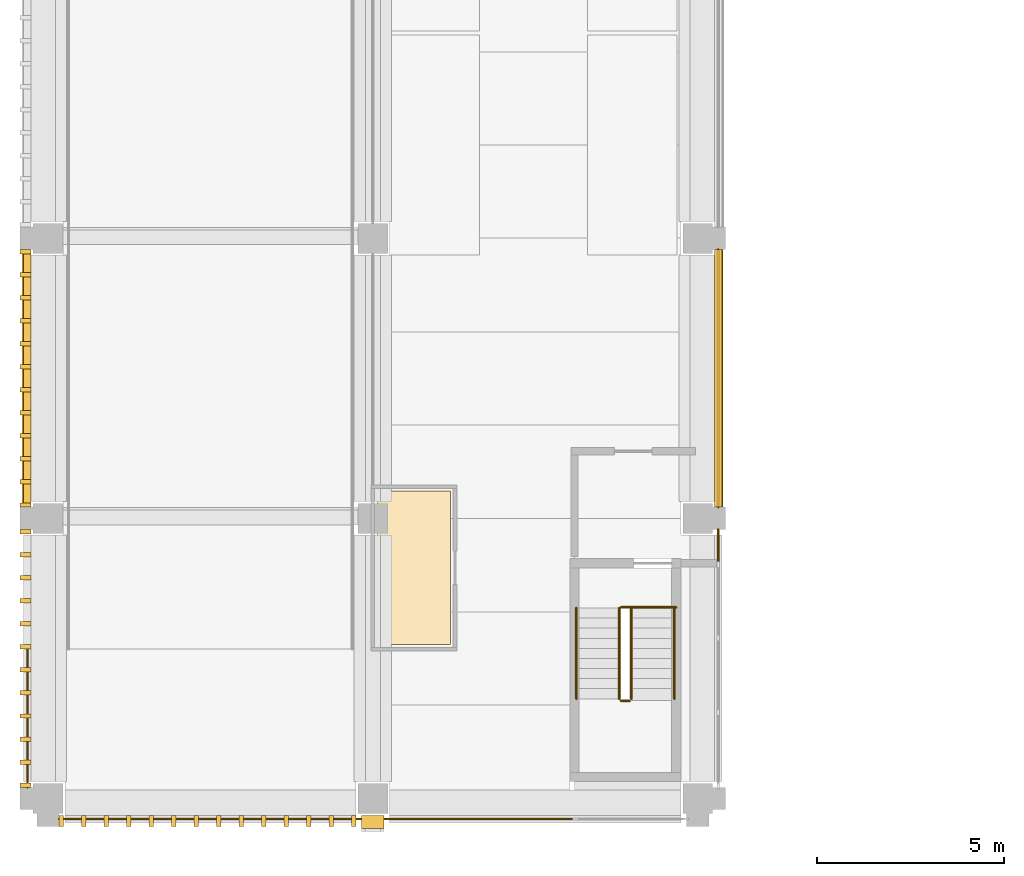
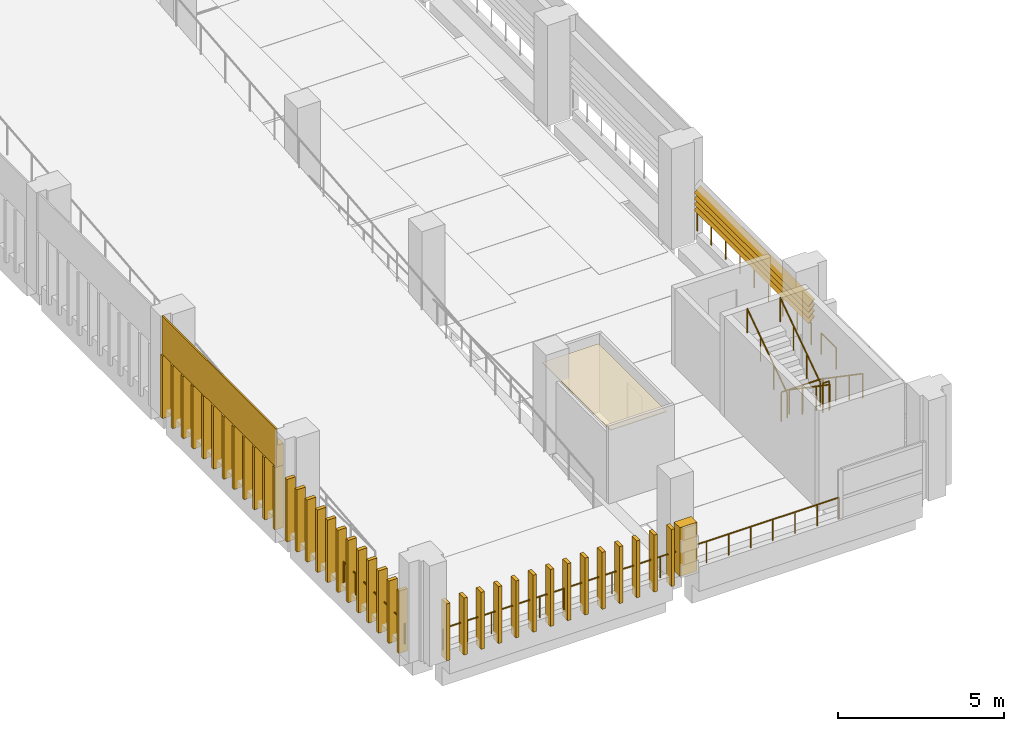
# One storey, part 41 of 61: 41 coverings, 11 railings, 4 shading devices.
"""IFC4 building model written with IfcOpenShell, lengths in metres."""

import ifcopenshell
import ifcopenshell.guid

model = None  # the IFC model being written
_history = None  # IfcOwnerHistory: only IFC2X3 demands one
_inside = {}  # id of a spatial element -> (the spatial element, [elements in it])
_under = {}  # id of a project, library or spatial element -> (it, [spatial elements below it])
_declared = {}  # id of a project -> (the project, [libraries it declares])
_typed = {}  # id of a type object -> (the type object, [elements of that type])
_made_of = {}  # id of a material, layer set ... -> (it, [elements and type objects made of it])


def new_model(schema):
    """Start an empty IFC model of exactly this schema.

    Asked for "IFC4X3", IfcOpenShell would pick the latest addendum, in which some entities
    have other attributes; the version numbers below select the first issue.
    IFC2X3 requires an IfcOwnerHistory on every rooted entity: one is made here for all.
    """
    global model, _history
    if schema == "IFC4X3":
        model = ifcopenshell.file(schema_version=(4, 3, 0, 0))
    else:
        model = ifcopenshell.file(schema=schema)
    _inside.clear()
    _under.clear()
    _declared.clear()
    _typed.clear()
    _made_of.clear()
    _history = None
    if model.schema == "IFC2X3":
        org = make("IfcOrganization", Name="unknown")
        user = make(
            "IfcPersonAndOrganization",
            ThePerson=make("IfcPerson", FamilyName="unknown"),
            TheOrganization=org,
        )
        app = make(
            "IfcApplication",
            ApplicationDeveloper=org,
            Version="unknown",
            ApplicationFullName="unknown",
            ApplicationIdentifier="unknown",
        )
        _history = make(
            "IfcOwnerHistory",
            OwningUser=user,
            OwningApplication=app,
            ChangeAction="ADDED",
            CreationDate=0,
        )
    return model


def make(cls, **values):
    """One entity of the class cls with the attributes given. An attribute that is None is left unset."""
    return model.create_entity(
        cls, **{name: value for name, value in values.items() if value is not None}
    )


def rooted(cls, **values):
    """An entity with a GlobalId (a new one), such as an element, a storey or a relation."""
    return make(cls, GlobalId=ifcopenshell.guid.new(), OwnerHistory=_history, **values)


def si_unit(unit_type, name, prefix=None):
    """IfcSIUnit, for example si_unit("LENGTHUNIT", "METRE", prefix="MILLI")."""
    return make("IfcSIUnit", UnitType=unit_type, Prefix=prefix, Name=name)


def assignment(units):
    """IfcUnitAssignment: the units of a project."""
    return None if units is None else make("IfcUnitAssignment", Units=units)


def point(xyz):
    """IfcCartesianPoint."""
    return None if xyz is None else make("IfcCartesianPoint", Coordinates=xyz)


def direction(xyz):
    """IfcDirection."""
    return None if xyz is None else make("IfcDirection", DirectionRatios=xyz)


def frame(location, z_axis=None, x_axis=None):
    """IfcAxis2Placement3D, a coordinate frame: its origin and axes. An axis left out is left unset."""
    return make(
        "IfcAxis2Placement3D",
        Location=point(location),
        Axis=direction(z_axis),
        RefDirection=direction(x_axis),
    )


def frame_2d(location, x_axis=None):
    """IfcAxis2Placement2D, a coordinate frame in the plane: its origin and x axis."""
    return make(
        "IfcAxis2Placement2D", Location=point(location), RefDirection=direction(x_axis)
    )


def origin():
    """The frame at (0, 0, 0) with its axes left unset."""
    return frame((0.0, 0.0, 0.0))


def origin_2d():
    """The frame at (0, 0) in the plane with its x axis left unset."""
    return frame_2d((0.0, 0.0))


def place(relative_to, where):
    """IfcLocalPlacement: puts the frame where relative to a parent placement (None: the world)."""
    return make(
        "IfcLocalPlacement", PlacementRelTo=relative_to, RelativePlacement=where
    )


def context(
    kind, dimensions, precision=None, world=None, true_north=None, identifier=None
):
    """IfcGeometricRepresentationContext, for example the 3D "Model" context."""
    return make(
        "IfcGeometricRepresentationContext",
        ContextIdentifier=identifier,
        ContextType=kind,
        CoordinateSpaceDimension=dimensions,
        Precision=precision,
        WorldCoordinateSystem=world,
        TrueNorth=true_north,
    )


def subcontext(parent, identifier, kind, view, scale=None):
    """IfcGeometricRepresentationSubContext, for example "Body" below "Model"."""
    return make(
        "IfcGeometricRepresentationSubContext",
        ContextIdentifier=identifier,
        ContextType=kind,
        ParentContext=parent,
        TargetScale=scale,
        TargetView=view,
    )


def project(units=None, contexts=None):
    """IfcProject with its units and contexts."""
    return rooted(
        "IfcProject",
        Name="project",
        RepresentationContexts=contexts,
        UnitsInContext=assignment(units),
    )


def spatial(cls, under=None, at=None, **own):
    """A site, building, storey or space (cls), placed at a placement, below another one or the project."""
    s = rooted(cls, ObjectPlacement=at, **own)
    if under is not None:
        _under.setdefault(under.id(), (under, []))[1].append(s)
    return s


def polyline(points):
    """IfcPolyline through the points."""
    return make("IfcPolyline", Points=[point(p) for p in points])


def profile(cls, at=None, kind="AREA", **sizes):
    """A parametric profile (cls). Its sizes go by their IFC names, for example OverallWidth=200.0."""
    return make(cls, ProfileType=kind, Position=at, **sizes)


def circle(**sizes):
    """IfcCircleProfileDef."""
    return profile("IfcCircleProfileDef", **sizes)


def outline(outer, holes=None, kind="AREA"):
    """IfcArbitraryClosedProfileDef: a profile drawn as a closed curve; with holes, ...WithVoids."""
    if holes is None:
        return make("IfcArbitraryClosedProfileDef", ProfileType=kind, OuterCurve=outer)
    return make(
        "IfcArbitraryProfileDefWithVoids",
        ProfileType=kind,
        OuterCurve=outer,
        InnerCurves=holes,
    )


def extrude(swept, where, along, depth):
    """IfcExtrudedAreaSolid: the profile swept, set in the frame where, extruded along a direction by depth."""
    return make(
        "IfcExtrudedAreaSolid",
        SweptArea=swept,
        Position=where,
        ExtrudedDirection=direction(along),
        Depth=depth,
    )


def shape(context_of_items, identifier, shape_type, items):
    """IfcShapeRepresentation: the items that make up one representation, for example the "Body"."""
    return make(
        "IfcShapeRepresentation",
        ContextOfItems=context_of_items,
        RepresentationIdentifier=identifier,
        RepresentationType=shape_type,
        Items=items,
    )


def material(Name=None, Category=None):
    """IfcMaterial."""
    return make("IfcMaterial", Name=Name, Category=Category)


def layer(
    of_material, thickness, ventilated=None, Name=None, Category=None, Priority=None
):
    """IfcMaterialLayer: one layer of a wall or slab, of a material (None: an air gap)."""
    return make(
        "IfcMaterialLayer",
        Material=of_material,
        LayerThickness=thickness,
        IsVentilated=ventilated,
        Name=Name,
        Category=Category,
        Priority=Priority,
    )


def layer_set(layers, Name=None):
    """IfcMaterialLayerSet."""
    return make("IfcMaterialLayerSet", MaterialLayers=layers, LayerSetName=Name)


def made_of(thing, what):
    """Note that an element or type object is made of a material, layer set ...; save() writes the relation."""
    if what is not None:
        _made_of.setdefault(what.id(), (what, []))[1].append(thing)
    return thing


def type_object(cls, material=None, **own):
    """A type object (cls), such as IfcWallType, which elements share."""
    return made_of(rooted(cls, **own), material)


def element(
    cls,
    number,
    at=None,
    inside=None,
    cuts=None,
    type_object=None,
    material=None,
    context=None,
    identifier="Body",
    shape_type=None,
    held_by="IfcProductDefinitionShape",
    body=None,
    shapes=None,
    **own,
):
    """One element of the class cls, such as IfcWall. Its Tag is "e" and its number.

    at: its placement. inside: the storey or other place that contains it. cuts: it is an
    opening in that element (IfcRelVoidsElement). A single representation is given by context,
    identifier, shape_type and body (its items); several are given by shapes. held_by: the class
    of the entity that holds the representations. save() writes the other relations.
    """
    e = rooted(cls, Tag="e%d" % number, ObjectPlacement=at, **own)
    if body is not None:
        shapes = [shape(context, identifier, shape_type, body)]
    if shapes is not None:
        e.Representation = make(held_by, Representations=shapes)
    if inside is not None:
        _inside.setdefault(inside.id(), (inside, []))[1].append(e)
    if cuts is not None:
        rooted(
            "IfcRelVoidsElement", RelatingBuildingElement=cuts, RelatedOpeningElement=e
        )
    if type_object is not None:
        _typed.setdefault(type_object.id(), (type_object, []))[1].append(e)
    return made_of(e, material)


def aggregate(whole, parts):
    """IfcRelAggregates: a whole, such as a stair, and the parts it consists of."""
    return rooted("IfcRelAggregates", RelatingObject=whole, RelatedObjects=parts)


def save(model, path):
    """Write the relations noted so far, then the file.

    IfcRelAggregates (storeys below a building ...), IfcRelContainedInSpatialStructure (elements
    in a storey), IfcRelDefinesByType, IfcRelAssociatesMaterial and IfcRelDeclares: one each for
    every whole, place, type object, material and project.
    """
    for whole, parts in _under.values():
        aggregate(whole, parts)
    for where, things in _inside.values():
        rooted(
            "IfcRelContainedInSpatialStructure",
            RelatedElements=things,
            RelatingStructure=where,
        )
    for kind, things in _typed.values():
        rooted("IfcRelDefinesByType", RelatedObjects=things, RelatingType=kind)
    for what, things in _made_of.values():
        rooted("IfcRelAssociatesMaterial", RelatedObjects=things, RelatingMaterial=what)
    for by, libraries in _declared.values():
        rooted("IfcRelDeclares", RelatingContext=by, RelatedDefinitions=libraries)
    model.write(path)


model = new_model("IFC4")

# Units and contexts
model_context = context("Model", 3, precision=1e-05, world=origin(), true_north=direction((0.0, 1.0)))
body_context = subcontext(model_context, "Body", "Model", "MODEL_VIEW")
ifc_project = project(units=[si_unit("LENGTHUNIT", "METRE"), si_unit("AREAUNIT", "SQUARE_METRE"), si_unit("VOLUMEUNIT", "CUBIC_METRE"), si_unit("PLANEANGLEUNIT", "RADIAN"), si_unit("MASSUNIT", "GRAM", prefix="KILO")], contexts=[model_context])

# Site, building, storey
site_placement = place(None, origin())
site = spatial("IfcSite", under=ifc_project, at=site_placement, CompositionType="ELEMENT")
building_placement = place(site_placement, origin())
building = spatial("IfcBuilding", under=site, at=building_placement, Name="Cour d'Honneur Mobility Palace", CompositionType="ELEMENT")
storey_placement = place(building_placement, frame((0.0, 0.0, 11.89990234375)))
storey = spatial("IfcBuildingStorey", under=building, at=storey_placement, Name="L03", CompositionType="ELEMENT", Elevation=11.89990234375)

# Railings
ifc_material_1 = material(Name="Painted steel", Category="steel")
railing_type_1 = type_object("IfcRailingType", Name="Balustrade", PredefinedType="BALUSTRADE", material=ifc_material_1)
railing_1_placement = place(storey_placement, frame((0.300048828125, -0.550048828125, 0.300048828125)))
element("IfcRailing", 1, at=railing_1_placement, inside=storey, type_object=railing_type_1, Name="Balustrade BAL-131", PredefinedType="BALUSTRADE", context=body_context, shape_type="SweptSolid", body=[
    extrude(circle(Radius=0.02392578125, at=origin_2d()), frame((0.0, 0.0, 0.77587890625), z_axis=(1.0, 0.0, 0.0), x_axis=(0.0, 1.0, 0.0)), (0.0, 0.0, 1.0), 8.39990234375),
    extrude(circle(Radius=0.02099609375, at=origin_2d()), origin(), (0.0, 0.0, 1.0), 0.751953125),
    extrude(circle(Radius=0.02099609375, at=origin_2d()), frame((0.840087890625, 0.0, 0.0)), (0.0, 0.0, 1.0), 0.751953125),
    extrude(circle(Radius=0.02099609375, at=origin_2d()), frame((1.679931640625, 0.0, 0.0)), (0.0, 0.0, 1.0), 0.751953125),
    extrude(circle(Radius=0.02099609375, at=origin_2d()), frame((2.52001953125, 0.0, 0.0)), (0.0, 0.0, 1.0), 0.751953125),
    extrude(circle(Radius=0.02099609375, at=origin_2d()), frame((3.35986328125, 0.0, 0.0)), (0.0, 0.0, 1.0), 0.751953125),
    extrude(circle(Radius=0.02099609375, at=origin_2d()), frame((4.199951171875, 0.0, 0.0)), (0.0, 0.0, 1.0), 0.751953125),
    extrude(circle(Radius=0.02099609375, at=origin_2d()), frame((5.0400390625, 0.0, 0.0)), (0.0, 0.0, 1.0), 0.751953125),
    extrude(circle(Radius=0.02099609375, at=origin_2d()), frame((5.8798828125, 0.0, 0.0)), (0.0, 0.0, 1.0), 0.751953125),
    extrude(circle(Radius=0.02099609375, at=origin_2d()), frame((6.719970703125, 0.0, 0.0)), (0.0, 0.0, 1.0), 0.751953125),
    extrude(circle(Radius=0.02099609375, at=origin_2d()), frame((7.559814453125, 0.0, 0.0)), (0.0, 0.0, 1.0), 0.751953125),
    extrude(circle(Radius=0.02099609375, at=origin_2d()), frame((8.39990234375, 0.0, 0.0)), (0.0, 0.0, 1.0), 0.751953125),
])
railing_2_placement = place(storey_placement, frame((8.699951171875, -0.550048828125, 0.300048828125)))
element("IfcRailing", 2, at=railing_2_placement, inside=storey, type_object=railing_type_1, Name="Balustrade BAL-132", PredefinedType="BALUSTRADE", context=body_context, shape_type="SweptSolid", body=[
    extrude(circle(Radius=0.02392578125, at=origin_2d()), frame((0.0, 0.0, 0.77587890625), z_axis=(1.0, 0.0, 0.0), x_axis=(0.0, 1.0, 0.0)), (0.0, 0.0, 1.0), 5.400146484375),
    extrude(circle(Radius=0.02099609375, at=origin_2d()), origin(), (0.0, 0.0, 1.0), 0.751953125),
    extrude(circle(Radius=0.02099609375, at=origin_2d()), frame((0.771484375, 0.0, 0.0)), (0.0, 0.0, 1.0), 0.751953125),
    extrude(circle(Radius=0.02099609375, at=origin_2d()), frame((1.54296875, 0.0, 0.0)), (0.0, 0.0, 1.0), 0.751953125),
    extrude(circle(Radius=0.02099609375, at=origin_2d()), frame((2.314453125, 0.0, 0.0)), (0.0, 0.0, 1.0), 0.751953125),
    extrude(circle(Radius=0.02099609375, at=origin_2d()), frame((3.085693359375, 0.0, 0.0)), (0.0, 0.0, 1.0), 0.751953125),
    extrude(circle(Radius=0.02099609375, at=origin_2d()), frame((3.857177734375, 0.0, 0.0)), (0.0, 0.0, 1.0), 0.751953125),
    extrude(circle(Radius=0.02099609375, at=origin_2d()), frame((4.628662109375, 0.0, 0.0)), (0.0, 0.0, 1.0), 0.751953125),
    extrude(circle(Radius=0.02099609375, at=origin_2d()), frame((5.400146484375, 0.0, 0.0)), (0.0, 0.0, 1.0), 0.751953125),
])
railing_3_placement = place(storey_placement, frame((17.949951171875, 6.300048828125, 0.300048828125)))
element("IfcRailing", 3, at=railing_3_placement, inside=storey, type_object=railing_type_1, Name="Balustrade BAL-133", PredefinedType="BALUSTRADE", context=body_context, shape_type="SweptSolid", body=[
    extrude(circle(Radius=0.02392578125, at=origin_2d()), frame((0.0, 0.0, 0.77587890625), z_axis=(0.0, 1.0, 0.0), x_axis=(-1.0, 0.0, 0.0)), (0.0, 0.0, 1.0), 0.89990234375),
    extrude(circle(Radius=0.02099609375, at=origin_2d()), origin(), (0.0, 0.0, 1.0), 0.751953125),
    extrude(circle(Radius=0.02099609375, at=origin_2d()), frame((0.0, 0.89990234375, 0.0)), (0.0, 0.0, 1.0), 0.751953125),
])
railing_4_placement = place(storey_placement, frame((17.949951171875, 7.800048828125, 0.300048828125)))
element("IfcRailing", 4, at=railing_4_placement, inside=storey, type_object=railing_type_1, Name="Balustrade BAL-134", PredefinedType="BALUSTRADE", context=body_context, shape_type="SweptSolid", body=[
    extrude(circle(Radius=0.02392578125, at=origin_2d()), frame((0.0, 0.0, 0.77587890625), z_axis=(0.0, 1.0, 0.0), x_axis=(-1.0, 0.0, 0.0)), (0.0, 0.0, 1.0), 6.89990234375),
    extrude(circle(Radius=0.02099609375, at=origin_2d()), origin(), (0.0, 0.0, 1.0), 0.751953125),
    extrude(circle(Radius=0.02099609375, at=origin_2d()), frame((0.0, 0.862548828125, 0.0)), (0.0, 0.0, 1.0), 0.751953125),
    extrude(circle(Radius=0.02099609375, at=origin_2d()), frame((0.0, 1.72509765625, 0.0)), (0.0, 0.0, 1.0), 0.751953125),
    extrude(circle(Radius=0.02099609375, at=origin_2d()), frame((0.0, 2.58740234375, 0.0)), (0.0, 0.0, 1.0), 0.751953125),
    extrude(circle(Radius=0.02099609375, at=origin_2d()), frame((0.0, 3.449951171875, 0.0)), (0.0, 0.0, 1.0), 0.751953125),
    extrude(circle(Radius=0.02099609375, at=origin_2d()), frame((0.0, 4.3125, 0.0)), (0.0, 0.0, 1.0), 0.751953125),
    extrude(circle(Radius=0.02099609375, at=origin_2d()), frame((0.0, 5.1748046875, 0.0)), (0.0, 0.0, 1.0), 0.751953125),
    extrude(circle(Radius=0.02099609375, at=origin_2d()), frame((0.0, 6.037353515625, 0.0)), (0.0, 0.0, 1.0), 0.751953125),
    extrude(circle(Radius=0.02099609375, at=origin_2d()), frame((0.0, 6.89990234375, 0.0)), (0.0, 0.0, 1.0), 0.751953125),
])
railing_5_placement = place(storey_placement, frame((-0.550048828125, 4.0, 0.300048828125)))
element("IfcRailing", 5, at=railing_5_placement, inside=storey, type_object=railing_type_1, Name="Balustrade BAL-195", PredefinedType="BALUSTRADE", context=body_context, shape_type="SweptSolid", body=[
    extrude(circle(Radius=0.02392578125, at=origin_2d()), frame((0.0, 0.0, 0.77587890625), z_axis=(0.0, -1.0, 0.0), x_axis=(1.0, 0.0, 0.0)), (0.0, 0.0, 1.0), 3.699951171875),
    extrude(circle(Radius=0.02099609375, at=origin_2d()), origin(), (0.0, 0.0, 1.0), 0.751953125),
    extrude(circle(Radius=0.02099609375, at=origin_2d()), frame((0.0, -0.739990234375, 0.0)), (0.0, 0.0, 1.0), 0.751953125),
    extrude(circle(Radius=0.02099609375, at=origin_2d()), frame((0.0, -1.47998046875, 0.0)), (0.0, 0.0, 1.0), 0.751953125),
    extrude(circle(Radius=0.02099609375, at=origin_2d()), frame((0.0, -2.219970703125, 0.0)), (0.0, 0.0, 1.0), 0.751953125),
    extrude(circle(Radius=0.02099609375, at=origin_2d()), frame((0.0, -2.9599609375, 0.0)), (0.0, 0.0, 1.0), 0.751953125),
    extrude(circle(Radius=0.02099609375, at=origin_2d()), frame((0.0, -3.699951171875, 0.0)), (0.0, 0.0, 1.0), 0.751953125),
])
ifc_material_2 = material(Name="Painted steel", Category="steel")
railing_type_2 = type_object("IfcRailingType", Name="Guardrail 1100", PredefinedType="GUARDRAIL", material=ifc_material_2)
railing_6_placement = place(storey_placement, frame((15.35009765625, 5.1201171875, 0.0)))
element("IfcRailing", 6, at=railing_6_placement, inside=storey, type_object=railing_type_2, Name="Guard ST-RW1", PredefinedType="GUARDRAIL", context=body_context, shape_type="SweptSolid", body=[
    extrude(circle(Radius=0.02490234375, at=origin_2d()), frame((0.0, 0.0, 1.0751953125), z_axis=(1.0, 0.0, 0.0), x_axis=(0.0, 1.0, 0.0)), (0.0, 0.0, 1.0), 1.474853515625),
    extrude(circle(Radius=0.02099609375, at=origin_2d()), origin(), (0.0, 0.0, 1.0), 1.050048828125),
    extrude(circle(Radius=0.02099609375, at=origin_2d()), frame((0.7373046875, 0.0, 0.0)), (0.0, 0.0, 1.0), 1.050048828125),
    extrude(circle(Radius=0.02099609375, at=origin_2d()), frame((1.474853515625, 0.0, 0.0)), (0.0, 0.0, 1.0), 1.050048828125),
])
railing_7_placement = place(storey_placement, frame((15.35009765625, 2.610107421875, 1.85009765625)))
element("IfcRailing", 7, at=railing_7_placement, inside=storey, type_object=railing_type_2, Name="Landing guard ST-RW1", PredefinedType="GUARDRAIL", context=body_context, shape_type="SweptSolid", body=[
    extrude(circle(Radius=0.02490234375, at=origin_2d()), frame((0.0, 0.0, 1.0751953125), z_axis=(1.0, 0.0, 0.0), x_axis=(0.0, 1.0, 0.0)), (0.0, 0.0, 1.0), 0.224853515625),
    extrude(circle(Radius=0.02099609375, at=origin_2d()), origin(), (0.0, 0.0, 1.0), 1.050048828125),
    extrude(circle(Radius=0.02099609375, at=origin_2d()), frame((0.224853515625, 0.0, 0.0)), (0.0, 0.0, 1.0), 1.050048828125),
])
ifc_material_3 = material(Name="Stainless steel", Category="steel")
railing_type_3 = type_object("IfcRailingType", Name="Handrail round 50", PredefinedType="HANDRAIL", material=ifc_material_3)
for number, where, name in (
    (8, (16.77490234375, 5.10009765625, 0.18505859375), "Handrail ST-RW1"),
    (9, (15.625, 5.10009765625, 0.18505859375), "Handrail ST-RW1"),
):
    element("IfcRailing", number, at=place(storey_placement, frame(where)), inside=storey, type_object=railing_type_3, Name=name, PredefinedType="HANDRAIL", context=body_context, shape_type="SweptSolid", body=[
        extrude(circle(Radius=0.02490234375, at=origin_2d()), frame((0.0, 0.0, 0.89501953125), z_axis=(0.0, -0.824945253146, 0.565212640793), x_axis=(1.0, 0.0, 0.0)), (0.0, 0.0, 1.0), 2.94580078125),
        extrude(circle(Radius=0.02099609375, at=origin_2d()), origin(), (0.0, 0.0, 1.0), 0.869873046875),
        extrude(circle(Radius=0.02099609375, at=origin_2d()), frame((0.0, -0.81005859375, 0.554931640625)), (0.0, 0.0, 1.0), 0.869873046875),
        extrude(circle(Radius=0.02099609375, at=origin_2d()), frame((0.0, -1.6201171875, 1.110107421875)), (0.0, 0.0, 1.0), 0.869873046875),
        extrude(circle(Radius=0.02099609375, at=origin_2d()), frame((0.0, -2.43017578125, 1.6650390625)), (0.0, 0.0, 1.0), 0.869873046875),
    ])
for number, where, name in (
    (10, (15.300048828125, 2.669921875, 2.03515625), "Handrail ST-RW1"),
    (11, (14.14990234375, 2.669921875, 2.03515625), "Handrail ST-RW1"),
):
    element("IfcRailing", number, at=place(storey_placement, frame(where)), inside=storey, type_object=railing_type_3, Name=name, PredefinedType="HANDRAIL", context=body_context, shape_type="SweptSolid", body=[
        extrude(circle(Radius=0.02490234375, at=origin_2d()), frame((0.0, 0.0, 0.89501953125), z_axis=(0.0, 0.824945253146, 0.565212640793), x_axis=(-1.0, 0.0, 0.0)), (0.0, 0.0, 1.0), 2.94580078125),
        extrude(circle(Radius=0.02099609375, at=origin_2d()), origin(), (0.0, 0.0, 1.0), 0.869873046875),
        extrude(circle(Radius=0.02099609375, at=origin_2d()), frame((0.0, 0.81005859375, 0.554931640625)), (0.0, 0.0, 1.0), 0.869873046875),
        extrude(circle(Radius=0.02099609375, at=origin_2d()), frame((0.0, 1.6201171875, 1.110107421875)), (0.0, 0.0, 1.0), 0.869873046875),
        extrude(circle(Radius=0.02099609375, at=origin_2d()), frame((0.0, 2.43017578125, 1.6650390625)), (0.0, 0.0, 1.0), 0.869873046875),
    ])

# Coverings
ifc_material_4 = material(Name="Cast limestone", Category="masonry")
ifc_layer_1 = layer(ifc_material_4, 0.35009765625)
ifc_layer_set_1 = layer_set([ifc_layer_1], Name="Cast limestone")
covering_type_1 = type_object("IfcCoveringType", Name="Pier pilaster", PredefinedType="CLADDING", material=ifc_layer_set_1)
covering_1_placement = place(storey_placement, frame((0.0, 0.0, 0.300048828125)))
element("IfcCovering", 12, at=covering_1_placement, inside=storey, type_object=covering_type_1, Name="Pier pilaster PN-5", PredefinedType="CLADDING", context=body_context, shape_type="SweptSolid", body=[
    extrude(outline(polyline([(8.39990234375, -0.449951171875), (9.0, -0.449951171875), (9.0, -0.800048828125), (8.39990234375, -0.800048828125), (8.39990234375, -0.449951171875)])), origin(), (0.0, 0.0, 1.0), 1.800048828125),
])
ifc_material_5 = material(Name="Cast limestone", Category="masonry")
ifc_layer_2 = layer(ifc_material_5, 0.1201171875)
ifc_layer_set_2 = layer_set([ifc_layer_2], Name="Cast limestone")
covering_type_2 = type_object("IfcCoveringType", Name="Ramp screen fin", PredefinedType="CLADDING", material=ifc_layer_set_2)
covering_2_placement = place(storey_placement, origin())
element("IfcCovering", 13, at=covering_2_placement, inside=storey, type_object=covering_type_2, Name="Ramp screen fin S0.0 L03 1", PredefinedType="CLADDING", context=body_context, shape_type="SweptSolid", body=[
    extrude(outline(polyline([(0.300048828125, -0.449951171875), (0.419921875, -0.449951171875), (0.419921875, -0.75), (0.300048828125, -0.75), (0.300048828125, -0.449951171875)])), origin(), (0.0, 0.0, 1.0), 2.10009765625),
])
covering_3_placement = place(storey_placement, origin())
element("IfcCovering", 14, at=covering_3_placement, inside=storey, type_object=covering_type_2, Name="Ramp screen fin S0.0 L03 2", PredefinedType="CLADDING", context=body_context, shape_type="SweptSolid", body=[
    extrude(outline(polyline([(0.90234375, -0.449951171875), (1.022216796875, -0.449951171875), (1.022216796875, -0.75), (0.90234375, -0.75), (0.90234375, -0.449951171875)])), origin(), (0.0, 0.0, 1.0), 2.10009765625),
])
covering_4_placement = place(storey_placement, origin())
element("IfcCovering", 15, at=covering_4_placement, inside=storey, type_object=covering_type_2, Name="Ramp screen fin S0.0 L03 3", PredefinedType="CLADDING", context=body_context, shape_type="SweptSolid", body=[
    extrude(outline(polyline([(1.504638671875, -0.449951171875), (1.62451171875, -0.449951171875), (1.62451171875, -0.75), (1.504638671875, -0.75), (1.504638671875, -0.449951171875)])), origin(), (0.0, 0.0, 1.0), 2.10009765625),
])
covering_5_placement = place(storey_placement, origin())
element("IfcCovering", 16, at=covering_5_placement, inside=storey, type_object=covering_type_2, Name="Ramp screen fin S0.0 L03 4", PredefinedType="CLADDING", context=body_context, shape_type="SweptSolid", body=[
    extrude(outline(polyline([(2.10693359375, -0.449951171875), (2.226806640625, -0.449951171875), (2.226806640625, -0.75), (2.10693359375, -0.75), (2.10693359375, -0.449951171875)])), origin(), (0.0, 0.0, 1.0), 2.10009765625),
])
covering_6_placement = place(storey_placement, origin())
element("IfcCovering", 17, at=covering_6_placement, inside=storey, type_object=covering_type_2, Name="Ramp screen fin S0.0 L03 5", PredefinedType="CLADDING", context=body_context, shape_type="SweptSolid", body=[
    extrude(outline(polyline([(2.709228515625, -0.449951171875), (2.829345703125, -0.449951171875), (2.829345703125, -0.75), (2.709228515625, -0.75), (2.709228515625, -0.449951171875)])), origin(), (0.0, 0.0, 1.0), 2.10009765625),
])
covering_7_placement = place(storey_placement, origin())
element("IfcCovering", 18, at=covering_7_placement, inside=storey, type_object=covering_type_2, Name="Ramp screen fin S0.0 L03 6", PredefinedType="CLADDING", context=body_context, shape_type="SweptSolid", body=[
    extrude(outline(polyline([(3.3115234375, -0.449951171875), (3.431640625, -0.449951171875), (3.431640625, -0.75), (3.3115234375, -0.75), (3.3115234375, -0.449951171875)])), origin(), (0.0, 0.0, 1.0), 2.10009765625),
])
covering_8_placement = place(storey_placement, origin())
element("IfcCovering", 19, at=covering_8_placement, inside=storey, type_object=covering_type_2, Name="Ramp screen fin S0.0 L03 7", PredefinedType="CLADDING", context=body_context, shape_type="SweptSolid", body=[
    extrude(outline(polyline([(3.913818359375, -0.449951171875), (4.033935546875, -0.449951171875), (4.033935546875, -0.75), (3.913818359375, -0.75), (3.913818359375, -0.449951171875)])), origin(), (0.0, 0.0, 1.0), 2.10009765625),
])
covering_9_placement = place(storey_placement, origin())
element("IfcCovering", 20, at=covering_9_placement, inside=storey, type_object=covering_type_2, Name="Ramp screen fin S0.0 L03 8", PredefinedType="CLADDING", context=body_context, shape_type="SweptSolid", body=[
    extrude(outline(polyline([(4.51611328125, -0.449951171875), (4.63623046875, -0.449951171875), (4.63623046875, -0.75), (4.51611328125, -0.75), (4.51611328125, -0.449951171875)])), origin(), (0.0, 0.0, 1.0), 2.10009765625),
])
covering_10_placement = place(storey_placement, origin())
element("IfcCovering", 21, at=covering_10_placement, inside=storey, type_object=covering_type_2, Name="Ramp screen fin S0.0 L03 9", PredefinedType="CLADDING", context=body_context, shape_type="SweptSolid", body=[
    extrude(outline(polyline([(5.118408203125, -0.449951171875), (5.238525390625, -0.449951171875), (5.238525390625, -0.75), (5.118408203125, -0.75), (5.118408203125, -0.449951171875)])), origin(), (0.0, 0.0, 1.0), 2.10009765625),
])
covering_11_placement = place(storey_placement, origin())
element("IfcCovering", 22, at=covering_11_placement, inside=storey, type_object=covering_type_2, Name="Ramp screen fin S0.0 L03 10", PredefinedType="CLADDING", context=body_context, shape_type="SweptSolid", body=[
    extrude(outline(polyline([(5.720703125, -0.449951171875), (5.8408203125, -0.449951171875), (5.8408203125, -0.75), (5.720703125, -0.75), (5.720703125, -0.449951171875)])), origin(), (0.0, 0.0, 1.0), 2.10009765625),
])
covering_12_placement = place(storey_placement, origin())
element("IfcCovering", 23, at=covering_12_placement, inside=storey, type_object=covering_type_2, Name="Ramp screen fin S0.0 L03 11", PredefinedType="CLADDING", context=body_context, shape_type="SweptSolid", body=[
    extrude(outline(polyline([(6.322998046875, -0.449951171875), (6.443115234375, -0.449951171875), (6.443115234375, -0.75), (6.322998046875, -0.75), (6.322998046875, -0.449951171875)])), origin(), (0.0, 0.0, 1.0), 2.10009765625),
])
covering_13_placement = place(storey_placement, origin())
element("IfcCovering", 24, at=covering_13_placement, inside=storey, type_object=covering_type_2, Name="Ramp screen fin S0.0 L03 12", PredefinedType="CLADDING", context=body_context, shape_type="SweptSolid", body=[
    extrude(outline(polyline([(6.92529296875, -0.449951171875), (7.04541015625, -0.449951171875), (7.04541015625, -0.75), (6.92529296875, -0.75), (6.92529296875, -0.449951171875)])), origin(), (0.0, 0.0, 1.0), 2.10009765625),
])
covering_14_placement = place(storey_placement, origin())
element("IfcCovering", 25, at=covering_14_placement, inside=storey, type_object=covering_type_2, Name="Ramp screen fin S0.0 L03 13", PredefinedType="CLADDING", context=body_context, shape_type="SweptSolid", body=[
    extrude(outline(polyline([(7.527587890625, -0.449951171875), (7.647705078125, -0.449951171875), (7.647705078125, -0.75), (7.527587890625, -0.75), (7.527587890625, -0.449951171875)])), origin(), (0.0, 0.0, 1.0), 2.10009765625),
])
covering_15_placement = place(storey_placement, origin())
element("IfcCovering", 26, at=covering_15_placement, inside=storey, type_object=covering_type_2, Name="Ramp screen fin S0.0 L03 14", PredefinedType="CLADDING", context=body_context, shape_type="SweptSolid", body=[
    extrude(outline(polyline([(8.1298828125, -0.449951171875), (8.25, -0.449951171875), (8.25, -0.75), (8.1298828125, -0.75), (8.1298828125, -0.449951171875)])), origin(), (0.0, 0.0, 1.0), 2.10009765625),
])
covering_16_placement = place(storey_placement, origin())
element("IfcCovering", 27, at=covering_16_placement, inside=storey, type_object=covering_type_2, Name="Ramp screen fin W11.12 L03 1", PredefinedType="CLADDING", context=body_context, shape_type="SweptSolid", body=[
    extrude(outline(polyline([(-0.449951171875, 14.699951171875), (-0.449951171875, 14.580078125), (-0.75, 14.580078125), (-0.75, 14.699951171875), (-0.449951171875, 14.699951171875)])), origin(), (0.0, 0.0, 1.0), 2.300048828125),
])
covering_17_placement = place(storey_placement, origin())
element("IfcCovering", 28, at=covering_17_placement, inside=storey, type_object=covering_type_2, Name="Ramp screen fin W11.12 L03 2", PredefinedType="CLADDING", context=body_context, shape_type="SweptSolid", body=[
    extrude(outline(polyline([(-0.449951171875, 14.083740234375), (-0.449951171875, 13.963623046875), (-0.75, 13.963623046875), (-0.75, 14.083740234375), (-0.449951171875, 14.083740234375)])), origin(), (0.0, 0.0, 1.0), 2.300048828125),
])
covering_18_placement = place(storey_placement, origin())
element("IfcCovering", 29, at=covering_18_placement, inside=storey, type_object=covering_type_2, Name="Ramp screen fin W11.12 L03 3", PredefinedType="CLADDING", context=body_context, shape_type="SweptSolid", body=[
    extrude(outline(polyline([(-0.449951171875, 13.46728515625), (-0.449951171875, 13.34716796875), (-0.75, 13.34716796875), (-0.75, 13.46728515625), (-0.449951171875, 13.46728515625)])), origin(), (0.0, 0.0, 1.0), 2.300048828125),
])
covering_19_placement = place(storey_placement, origin())
element("IfcCovering", 30, at=covering_19_placement, inside=storey, type_object=covering_type_2, Name="Ramp screen fin W11.12 L03 4", PredefinedType="CLADDING", context=body_context, shape_type="SweptSolid", body=[
    extrude(outline(polyline([(-0.449951171875, 12.850830078125), (-0.449951171875, 12.73095703125), (-0.75, 12.73095703125), (-0.75, 12.850830078125), (-0.449951171875, 12.850830078125)])), origin(), (0.0, 0.0, 1.0), 2.300048828125),
])
covering_20_placement = place(storey_placement, origin())
element("IfcCovering", 31, at=covering_20_placement, inside=storey, type_object=covering_type_2, Name="Ramp screen fin W11.12 L03 5", PredefinedType="CLADDING", context=body_context, shape_type="SweptSolid", body=[
    extrude(outline(polyline([(-0.449951171875, 12.234619140625), (-0.449951171875, 12.114501953125), (-0.75, 12.114501953125), (-0.75, 12.234619140625), (-0.449951171875, 12.234619140625)])), origin(), (0.0, 0.0, 1.0), 2.300048828125),
])
covering_21_placement = place(storey_placement, origin())
element("IfcCovering", 32, at=covering_21_placement, inside=storey, type_object=covering_type_2, Name="Ramp screen fin W11.12 L03 6", PredefinedType="CLADDING", context=body_context, shape_type="SweptSolid", body=[
    extrude(outline(polyline([(-0.449951171875, 11.6181640625), (-0.449951171875, 11.498291015625), (-0.75, 11.498291015625), (-0.75, 11.6181640625), (-0.449951171875, 11.6181640625)])), origin(), (0.0, 0.0, 1.0), 2.300048828125),
])
covering_22_placement = place(storey_placement, origin())
element("IfcCovering", 33, at=covering_22_placement, inside=storey, type_object=covering_type_2, Name="Ramp screen fin W11.12 L03 7", PredefinedType="CLADDING", context=body_context, shape_type="SweptSolid", body=[
    extrude(outline(polyline([(-0.449951171875, 11.001708984375), (-0.449951171875, 10.8818359375), (-0.75, 10.8818359375), (-0.75, 11.001708984375), (-0.449951171875, 11.001708984375)])), origin(), (0.0, 0.0, 1.0), 2.300048828125),
])
covering_23_placement = place(storey_placement, origin())
element("IfcCovering", 34, at=covering_23_placement, inside=storey, type_object=covering_type_2, Name="Ramp screen fin W11.12 L03 8", PredefinedType="CLADDING", context=body_context, shape_type="SweptSolid", body=[
    extrude(outline(polyline([(-0.449951171875, 10.385498046875), (-0.449951171875, 10.265380859375), (-0.75, 10.265380859375), (-0.75, 10.385498046875), (-0.449951171875, 10.385498046875)])), origin(), (0.0, 0.0, 1.0), 2.300048828125),
])
covering_24_placement = place(storey_placement, origin())
element("IfcCovering", 35, at=covering_24_placement, inside=storey, type_object=covering_type_2, Name="Ramp screen fin W11.12 L03 9", PredefinedType="CLADDING", context=body_context, shape_type="SweptSolid", body=[
    extrude(outline(polyline([(-0.449951171875, 9.76904296875), (-0.449951171875, 9.649169921875), (-0.75, 9.649169921875), (-0.75, 9.76904296875), (-0.449951171875, 9.76904296875)])), origin(), (0.0, 0.0, 1.0), 2.300048828125),
])
covering_25_placement = place(storey_placement, origin())
element("IfcCovering", 36, at=covering_25_placement, inside=storey, type_object=covering_type_2, Name="Ramp screen fin W11.12 L03 10", PredefinedType="CLADDING", context=body_context, shape_type="SweptSolid", body=[
    extrude(outline(polyline([(-0.449951171875, 9.15283203125), (-0.449951171875, 9.03271484375), (-0.75, 9.03271484375), (-0.75, 9.15283203125), (-0.449951171875, 9.15283203125)])), origin(), (0.0, 0.0, 1.0), 2.300048828125),
])
covering_26_placement = place(storey_placement, origin())
element("IfcCovering", 37, at=covering_26_placement, inside=storey, type_object=covering_type_2, Name="Ramp screen fin W11.12 L03 11", PredefinedType="CLADDING", context=body_context, shape_type="SweptSolid", body=[
    extrude(outline(polyline([(-0.449951171875, 8.536376953125), (-0.449951171875, 8.416259765625), (-0.75, 8.416259765625), (-0.75, 8.536376953125), (-0.449951171875, 8.536376953125)])), origin(), (0.0, 0.0, 1.0), 2.300048828125),
])
covering_27_placement = place(storey_placement, origin())
element("IfcCovering", 38, at=covering_27_placement, inside=storey, type_object=covering_type_2, Name="Ramp screen fin W11.12 L03 12", PredefinedType="CLADDING", context=body_context, shape_type="SweptSolid", body=[
    extrude(outline(polyline([(-0.449951171875, 7.919921875), (-0.449951171875, 7.800048828125), (-0.75, 7.800048828125), (-0.75, 7.919921875), (-0.449951171875, 7.919921875)])), origin(), (0.0, 0.0, 1.0), 2.300048828125),
])
covering_28_placement = place(storey_placement, origin())
element("IfcCovering", 39, at=covering_28_placement, inside=storey, type_object=covering_type_2, Name="Ramp screen fin W11.13 L03 1", PredefinedType="CLADDING", context=body_context, shape_type="SweptSolid", body=[
    extrude(outline(polyline([(-0.449951171875, 7.199951171875), (-0.449951171875, 7.080078125), (-0.75, 7.080078125), (-0.75, 7.199951171875), (-0.449951171875, 7.199951171875)])), origin(), (0.0, 0.0, 1.0), 2.300048828125),
])
covering_29_placement = place(storey_placement, origin())
element("IfcCovering", 40, at=covering_29_placement, inside=storey, type_object=covering_type_2, Name="Ramp screen fin W11.13 L03 2", PredefinedType="CLADDING", context=body_context, shape_type="SweptSolid", body=[
    extrude(outline(polyline([(-0.449951171875, 6.583740234375), (-0.449951171875, 6.463623046875), (-0.75, 6.463623046875), (-0.75, 6.583740234375), (-0.449951171875, 6.583740234375)])), origin(), (0.0, 0.0, 1.0), 2.300048828125),
])
covering_30_placement = place(storey_placement, origin())
element("IfcCovering", 41, at=covering_30_placement, inside=storey, type_object=covering_type_2, Name="Ramp screen fin W11.13 L03 3", PredefinedType="CLADDING", context=body_context, shape_type="SweptSolid", body=[
    extrude(outline(polyline([(-0.449951171875, 5.96728515625), (-0.449951171875, 5.84716796875), (-0.75, 5.84716796875), (-0.75, 5.96728515625), (-0.449951171875, 5.96728515625)])), origin(), (0.0, 0.0, 1.0), 2.300048828125),
])
covering_31_placement = place(storey_placement, origin())
element("IfcCovering", 42, at=covering_31_placement, inside=storey, type_object=covering_type_2, Name="Ramp screen fin W11.13 L03 4", PredefinedType="CLADDING", context=body_context, shape_type="SweptSolid", body=[
    extrude(outline(polyline([(-0.449951171875, 5.350830078125), (-0.449951171875, 5.23095703125), (-0.75, 5.23095703125), (-0.75, 5.350830078125), (-0.449951171875, 5.350830078125)])), origin(), (0.0, 0.0, 1.0), 2.300048828125),
])
covering_32_placement = place(storey_placement, origin())
element("IfcCovering", 43, at=covering_32_placement, inside=storey, type_object=covering_type_2, Name="Ramp screen fin W11.13 L03 5", PredefinedType="CLADDING", context=body_context, shape_type="SweptSolid", body=[
    extrude(outline(polyline([(-0.449951171875, 4.734619140625), (-0.449951171875, 4.614501953125), (-0.75, 4.614501953125), (-0.75, 4.734619140625), (-0.449951171875, 4.734619140625)])), origin(), (0.0, 0.0, 1.0), 2.300048828125),
])
covering_33_placement = place(storey_placement, origin())
element("IfcCovering", 44, at=covering_33_placement, inside=storey, type_object=covering_type_2, Name="Ramp screen fin W11.13 L03 6", PredefinedType="CLADDING", context=body_context, shape_type="SweptSolid", body=[
    extrude(outline(polyline([(-0.449951171875, 4.1181640625), (-0.449951171875, 3.998291015625), (-0.75, 3.998291015625), (-0.75, 4.1181640625), (-0.449951171875, 4.1181640625)])), origin(), (0.0, 0.0, 1.0), 2.300048828125),
])
covering_34_placement = place(storey_placement, origin())
element("IfcCovering", 45, at=covering_34_placement, inside=storey, type_object=covering_type_2, Name="Ramp screen fin W11.13 L03 7", PredefinedType="CLADDING", context=body_context, shape_type="SweptSolid", body=[
    extrude(outline(polyline([(-0.449951171875, 3.501708984375), (-0.449951171875, 3.3818359375), (-0.75, 3.3818359375), (-0.75, 3.501708984375), (-0.449951171875, 3.501708984375)])), origin(), (0.0, 0.0, 1.0), 2.300048828125),
])
covering_35_placement = place(storey_placement, origin())
element("IfcCovering", 46, at=covering_35_placement, inside=storey, type_object=covering_type_2, Name="Ramp screen fin W11.13 L03 8", PredefinedType="CLADDING", context=body_context, shape_type="SweptSolid", body=[
    extrude(outline(polyline([(-0.449951171875, 2.885498046875), (-0.449951171875, 2.765380859375), (-0.75, 2.765380859375), (-0.75, 2.885498046875), (-0.449951171875, 2.885498046875)])), origin(), (0.0, 0.0, 1.0), 2.300048828125),
])
covering_36_placement = place(storey_placement, origin())
element("IfcCovering", 47, at=covering_36_placement, inside=storey, type_object=covering_type_2, Name="Ramp screen fin W11.13 L03 9", PredefinedType="CLADDING", context=body_context, shape_type="SweptSolid", body=[
    extrude(outline(polyline([(-0.449951171875, 2.26904296875), (-0.449951171875, 2.149169921875), (-0.75, 2.149169921875), (-0.75, 2.26904296875), (-0.449951171875, 2.26904296875)])), origin(), (0.0, 0.0, 1.0), 2.300048828125),
])
covering_37_placement = place(storey_placement, origin())
element("IfcCovering", 48, at=covering_37_placement, inside=storey, type_object=covering_type_2, Name="Ramp screen fin W11.13 L03 10", PredefinedType="CLADDING", context=body_context, shape_type="SweptSolid", body=[
    extrude(outline(polyline([(-0.449951171875, 1.65283203125), (-0.449951171875, 1.53271484375), (-0.75, 1.53271484375), (-0.75, 1.65283203125), (-0.449951171875, 1.65283203125)])), origin(), (0.0, 0.0, 1.0), 2.300048828125),
])
covering_38_placement = place(storey_placement, origin())
element("IfcCovering", 49, at=covering_38_placement, inside=storey, type_object=covering_type_2, Name="Ramp screen fin W11.13 L03 11", PredefinedType="CLADDING", context=body_context, shape_type="SweptSolid", body=[
    extrude(outline(polyline([(-0.449951171875, 1.036376953125), (-0.449951171875, 0.916259765625), (-0.75, 0.916259765625), (-0.75, 1.036376953125), (-0.449951171875, 1.036376953125)])), origin(), (0.0, 0.0, 1.0), 2.300048828125),
])
covering_39_placement = place(storey_placement, origin())
element("IfcCovering", 50, at=covering_39_placement, inside=storey, type_object=covering_type_2, Name="Ramp screen fin W11.13 L03 12", PredefinedType="CLADDING", context=body_context, shape_type="SweptSolid", body=[
    extrude(outline(polyline([(-0.449951171875, 0.419921875), (-0.449951171875, 0.300048828125), (-0.75, 0.300048828125), (-0.75, 0.419921875), (-0.449951171875, 0.419921875)])), origin(), (0.0, 0.0, 1.0), 2.300048828125),
])
ifc_material_6 = material(Name="Cast limestone", Category="masonry")
ifc_layer_3 = layer(ifc_material_6, 0.25)
ifc_layer_set_3 = layer_set([ifc_layer_3], Name="Cast limestone")
covering_type_3 = type_object("IfcCoveringType", Name="Spandrel cladding", PredefinedType="CLADDING", material=ifc_layer_set_3)
covering_40_placement = place(storey_placement, frame((-0.449951171875, 14.699951171875, 2.300048828125), z_axis=(0.0, 1.0, 0.0), x_axis=(-1.0, 0.0, 0.0)))
element("IfcCovering", 51, at=covering_40_placement, inside=storey, type_object=covering_type_3, Name="Spandrel cladding SK-276", PredefinedType="CLADDING", context=body_context, shape_type="SweptSolid", body=[
    extrude(outline(polyline([(0.0, 0.0), (0.25, 0.0), (0.25, 1.400146484375), (0.199951171875, 1.400146484375), (0.199951171875, 0.800048828125), (0.0, 0.800048828125), (0.0, 0.0)])), origin(), (0.0, 0.0, -1.0), 6.89990234375),
])
ifc_material_7 = material(Name="Suspended ceiling")
ifc_layer_4 = layer(ifc_material_7, 0.030029296875)
ifc_layer_set_4 = layer_set([ifc_layer_4], Name="Suspended ceiling")
covering_type_4 = type_object("IfcCoveringType", Name="Suspended ceiling", PredefinedType="CEILING", material=ifc_layer_set_4)
covering_41_placement = place(storey_placement, frame((0.0, 0.0, 2.550048828125)))
element("IfcCovering", 52, at=covering_41_placement, inside=storey, type_object=covering_type_4, Name="Ceiling Attendant Room West", PredefinedType="CEILING", context=body_context, shape_type="SweptSolid", body=[
    extrude(outline(polyline([(10.780029296875, 4.1201171875), (8.820068359375, 4.1201171875), (8.820068359375, 8.22998046875), (10.780029296875, 8.22998046875), (10.780029296875, 4.1201171875)])), origin(), (0.0, 0.0, 1.0), 0.030029296875),
])

# Shading devices
ifc_material_8 = material(Name="Terracotta", Category="masonry")
ifc_layer_5 = layer(ifc_material_8, 0.02490234375)
ifc_layer_set_5 = layer_set([ifc_layer_5], Name="Terracotta")
shading_device_type = type_object("IfcShadingDeviceType", Name="Terracotta louvre blade", PredefinedType="JALOUSIE", material=ifc_layer_set_5)
for number, where, z_axis, x_axis, name in (
    (53, (17.843994140625, 7.800048828125, 1.10009765625), (-0.707106781187, 0.0, 0.707106781187), (0.0, 1.0, 0.0), "Louvre blade LV-1 E1.1 L03 1"),
    (54, (17.843994140625, 7.800048828125, 1.312255859375), (-0.707106781187, 0.0, 0.707106781187), (0.0, 1.0, 0.0), "Louvre blade LV-1 E1.1 L03 2"),
    (55, (17.843994140625, 7.800048828125, 1.5244140625), (-0.707106781187, 0.0, 0.707106781187), (0.0, 1.0, 0.0), "Louvre blade LV-1 E1.1 L03 3"),
    (56, (17.843994140625, 7.800048828125, 1.736572265625), (-0.707106781187, 0.0, 0.707106781187), (0.0, 1.0, 0.0), "Louvre blade LV-1 E1.1 L03 4"),
):
    element("IfcShadingDevice", number, at=place(storey_placement, frame(where, z_axis=z_axis, x_axis=x_axis)), inside=storey, type_object=shading_device_type, Name=name, PredefinedType="JALOUSIE", context=body_context, shape_type="SweptSolid", body=[
        extrude(outline(polyline([(0.0, 0.0), (6.89990234375, 0.0), (6.89990234375, -0.300037008228081), (0.0, -0.300037008228081), (0.0, 0.0)])), origin(), (0.0, 0.0, -1.0), 0.02490234375),
    ])

save(model, "model.ifc")
